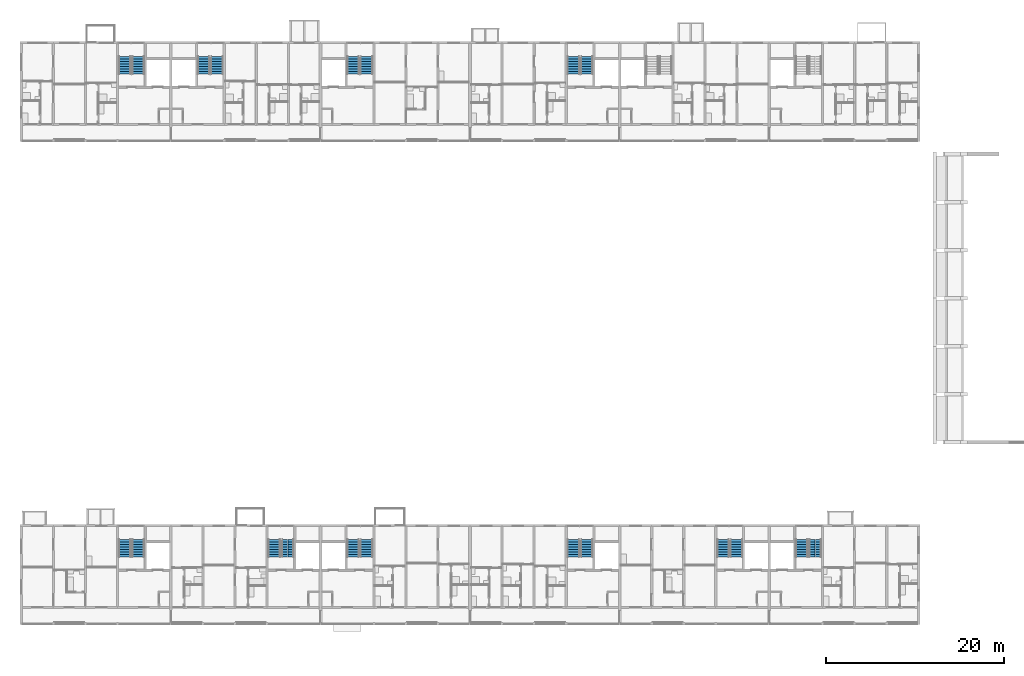
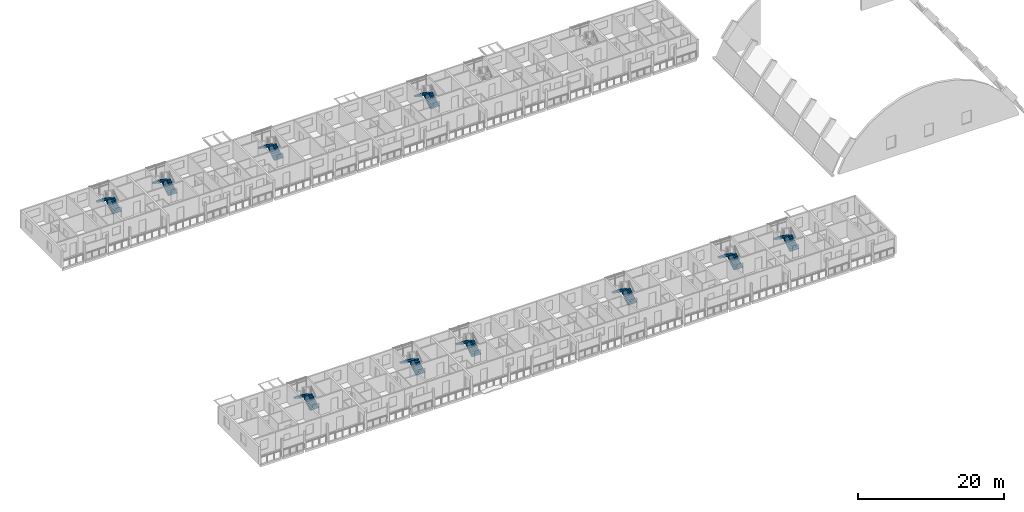
# One storey, part 62 of 100: 20 stair flights, 10 elements without a shape of their own.
"""IFC4 building model written with IfcOpenShell, lengths in metres."""

from ifc_helpers import new_model, si_unit, direction, frame, origin, place, context, subcontext, project, spatial, polyline, outline, extrude, material, type_object, element, aggregate, save


model = new_model("IFC4")

# Units and contexts
model_context = context("Model", 3, precision=1e-05, world=origin(), true_north=direction((0.0, 1.0)))
body_context = subcontext(model_context, "Body", "Model", "MODEL_VIEW")
ifc_project = project(units=[si_unit("LENGTHUNIT", "METRE"), si_unit("AREAUNIT", "SQUARE_METRE"), si_unit("VOLUMEUNIT", "CUBIC_METRE"), si_unit("PLANEANGLEUNIT", "RADIAN"), si_unit("MASSUNIT", "GRAM", prefix="KILO")], contexts=[model_context])

# Site, building, storey
site_placement = place(None, origin())
site = spatial("IfcSite", under=ifc_project, at=site_placement, CompositionType="ELEMENT")
building_placement = place(site_placement, origin())
building = spatial("IfcBuilding", under=site, at=building_placement, Name="Ridgestep Commons", CompositionType="ELEMENT")
storey_placement = place(building_placement, frame((0.0, 0.0, 9.0)))
storey = spatial("IfcBuildingStorey", under=building, at=storey_placement, Name="L03", CompositionType="ELEMENT", Elevation=9.0)

# Stair, stair flights
ifc_material_1 = material(Name="Precast concrete C40/50", Category="concrete")
stair_type = type_object("IfcStairType", Name="Escape stair 1400", PredefinedType="HALF_TURN_STAIR", material=ifc_material_1)
stair_1_placement = place(storey_placement, origin())
stair_1 = element("IfcStair", 1, at=stair_1_placement, inside=storey, type_object=stair_type, Name="L03 Escape stair A1C", PredefinedType="HALF_TURN_STAIR")
ifc_material_2 = material(Name="Precast concrete C40/50", Category="concrete")
stair_flight_type = type_object("IfcStairFlightType", Name="Stair flight 1400", PredefinedType="STRAIGHT", material=ifc_material_2)
stair_flight_1_placement = place(storey_placement, frame((25.125, 19.35009765625, 0.0), z_axis=(0.0, 0.0, 1.0), x_axis=(0.0, 1.0, 0.0)))
stair_flight_1 = element("IfcStairFlight", 2, at=stair_flight_1_placement, type_object=stair_flight_type, Name="A1C flight 1", NumberOfRisers=8, NumberOfTreads=7, PredefinedType="STRAIGHT", RiserHeight=0.1875, TreadLength=0.28, context=body_context, shape_type="SweptSolid", body=[
    extrude(outline(polyline([(0.0, 0.0), (0.0, 0.1875), (0.280029296875, 0.1875), (0.280029296875, 0.375), (0.56005859375, 0.375), (0.56005859375, 0.5625), (0.840087890625, 0.5625), (0.840087890625, 0.75), (1.1201171875, 0.75), (1.1201171875, 0.9375), (1.39990234375, 0.9375), (1.39990234375, 1.125), (1.679931640625, 1.125), (1.679931640625, 1.3125), (1.9599609375, 1.3125), (1.9599609375, 1.5), (1.9599609375, 1.132080078125), (0.26953125, 0.0), (0.0, 0.0)])), frame((0.0, 0.699951171875, 0.0), z_axis=(0.0, -1.0, 0.0), x_axis=(1.0, 0.0, 0.0)), (0.0, 0.0, 1.0), 0.695068359375),
    extrude(outline(polyline([(0.0, 0.0), (0.0, 0.1875), (0.280029296875, 0.1875), (0.280029296875, 0.375), (0.56005859375, 0.375), (0.56005859375, 0.5625), (0.840087890625, 0.5625), (0.840087890625, 0.75), (1.1201171875, 0.75), (1.1201171875, 0.9375), (1.39990234375, 0.9375), (1.39990234375, 1.125), (1.679931640625, 1.125), (1.679931640625, 1.3125), (1.9599609375, 1.3125), (1.9599609375, 1.5), (1.9599609375, 1.132080078125), (0.26953125, 0.0), (0.0, 0.0)])), frame((0.0, -0.0048828125, 0.0), z_axis=(0.0, -1.0, 0.0), x_axis=(1.0, 0.0, 0.0)), (0.0, 0.0, 1.0), 0.695068359375),
])
stair_flight_2_placement = place(storey_placement, frame((23.625, 21.31005859375, 1.5), z_axis=(0.0, 0.0, 1.0), x_axis=(0.0, -1.0, 0.0)))
stair_flight_2 = element("IfcStairFlight", 3, at=stair_flight_2_placement, type_object=stair_flight_type, Name="A1C flight 2", NumberOfRisers=8, NumberOfTreads=7, PredefinedType="STRAIGHT", RiserHeight=0.1875, TreadLength=0.28, context=body_context, shape_type="SweptSolid", body=[
    extrude(outline(polyline([(0.0, 0.0), (0.0, 0.1875), (0.280029296875, 0.1875), (0.280029296875, 0.375), (0.56005859375, 0.375), (0.56005859375, 0.5625), (0.840087890625, 0.5625), (0.840087890625, 0.75), (1.1201171875, 0.75), (1.1201171875, 0.9375), (1.39990234375, 0.9375), (1.39990234375, 1.125), (1.679931640625, 1.125), (1.679931640625, 1.3125), (1.9599609375, 1.3125), (1.9599609375, 1.5), (1.9599609375, 1.132080078125), (0.26953125, 0.0), (0.0, 0.0)])), frame((0.0, 0.699951171875, 0.0), z_axis=(0.0, -1.0, 0.0), x_axis=(1.0, 0.0, 0.0)), (0.0, 0.0, 1.0), 0.695068359375),
    extrude(outline(polyline([(0.0, 0.0), (0.0, 0.1875), (0.280029296875, 0.1875), (0.280029296875, 0.375), (0.56005859375, 0.375), (0.56005859375, 0.5625), (0.840087890625, 0.5625), (0.840087890625, 0.75), (1.1201171875, 0.75), (1.1201171875, 0.9375), (1.39990234375, 0.9375), (1.39990234375, 1.125), (1.679931640625, 1.125), (1.679931640625, 1.3125), (1.9599609375, 1.3125), (1.9599609375, 1.5), (1.9599609375, 1.132080078125), (0.26953125, 0.0), (0.0, 0.0)])), frame((0.0, -0.0048828125, 0.0), z_axis=(0.0, -1.0, 0.0), x_axis=(1.0, 0.0, 0.0)), (0.0, 0.0, 1.0), 0.695068359375),
])
aggregate(stair_1, [stair_flight_1, stair_flight_2])

stair_2_placement = place(storey_placement, origin())
stair_2 = element("IfcStair", 4, at=stair_2_placement, inside=storey, type_object=stair_type, Name="L03 Escape stair A2C", PredefinedType="HALF_TURN_STAIR")
stair_flight_3_placement = place(storey_placement, frame((41.925048828125, 19.35009765625, 0.0), z_axis=(0.0, 0.0, 1.0), x_axis=(0.0, 1.0, 0.0)))
stair_flight_3 = element("IfcStairFlight", 5, at=stair_flight_3_placement, type_object=stair_flight_type, Name="A2C flight 1", NumberOfRisers=8, NumberOfTreads=7, PredefinedType="STRAIGHT", RiserHeight=0.1875, TreadLength=0.28, context=body_context, shape_type="SweptSolid", body=[
    extrude(outline(polyline([(0.0, 0.0), (0.0, 0.1875), (0.280029296875, 0.1875), (0.280029296875, 0.375), (0.56005859375, 0.375), (0.56005859375, 0.5625), (0.840087890625, 0.5625), (0.840087890625, 0.75), (1.1201171875, 0.75), (1.1201171875, 0.9375), (1.39990234375, 0.9375), (1.39990234375, 1.125), (1.679931640625, 1.125), (1.679931640625, 1.3125), (1.9599609375, 1.3125), (1.9599609375, 1.5), (1.9599609375, 1.132080078125), (0.26953125, 0.0), (0.0, 0.0)])), frame((0.0, 0.699951171875, 0.0), z_axis=(0.0, -1.0, 0.0), x_axis=(1.0, 0.0, 0.0)), (0.0, 0.0, 1.0), 0.695068359375),
    extrude(outline(polyline([(0.0, 0.0), (0.0, 0.1875), (0.280029296875, 0.1875), (0.280029296875, 0.375), (0.56005859375, 0.375), (0.56005859375, 0.5625), (0.840087890625, 0.5625), (0.840087890625, 0.75), (1.1201171875, 0.75), (1.1201171875, 0.9375), (1.39990234375, 0.9375), (1.39990234375, 1.125), (1.679931640625, 1.125), (1.679931640625, 1.3125), (1.9599609375, 1.3125), (1.9599609375, 1.5), (1.9599609375, 1.132080078125), (0.26953125, 0.0), (0.0, 0.0)])), frame((0.0, -0.0048828125, 0.0), z_axis=(0.0, -1.0, 0.0), x_axis=(1.0, 0.0, 0.0)), (0.0, 0.0, 1.0), 0.695068359375),
])
stair_flight_4_placement = place(storey_placement, frame((40.425048828125, 21.31005859375, 1.5), z_axis=(0.0, 0.0, 1.0), x_axis=(0.0, -1.0, 0.0)))
stair_flight_4 = element("IfcStairFlight", 6, at=stair_flight_4_placement, type_object=stair_flight_type, Name="A2C flight 2", NumberOfRisers=8, NumberOfTreads=7, PredefinedType="STRAIGHT", RiserHeight=0.1875, TreadLength=0.28, context=body_context, shape_type="SweptSolid", body=[
    extrude(outline(polyline([(0.0, 0.0), (0.0, 0.1875), (0.280029296875, 0.1875), (0.280029296875, 0.375), (0.56005859375, 0.375), (0.56005859375, 0.5625), (0.840087890625, 0.5625), (0.840087890625, 0.75), (1.1201171875, 0.75), (1.1201171875, 0.9375), (1.39990234375, 0.9375), (1.39990234375, 1.125), (1.679931640625, 1.125), (1.679931640625, 1.3125), (1.9599609375, 1.3125), (1.9599609375, 1.5), (1.9599609375, 1.132080078125), (0.26953125, 0.0), (0.0, 0.0)])), frame((0.0, 0.699951171875, 0.0), z_axis=(0.0, -1.0, 0.0), x_axis=(1.0, 0.0, 0.0)), (0.0, 0.0, 1.0), 0.695068359375),
    extrude(outline(polyline([(0.0, 0.0), (0.0, 0.1875), (0.280029296875, 0.1875), (0.280029296875, 0.375), (0.56005859375, 0.375), (0.56005859375, 0.5625), (0.840087890625, 0.5625), (0.840087890625, 0.75), (1.1201171875, 0.75), (1.1201171875, 0.9375), (1.39990234375, 0.9375), (1.39990234375, 1.125), (1.679931640625, 1.125), (1.679931640625, 1.3125), (1.9599609375, 1.3125), (1.9599609375, 1.5), (1.9599609375, 1.132080078125), (0.26953125, 0.0), (0.0, 0.0)])), frame((0.0, -0.0048828125, 0.0), z_axis=(0.0, -1.0, 0.0), x_axis=(1.0, 0.0, 0.0)), (0.0, 0.0, 1.0), 0.695068359375),
])
aggregate(stair_2, [stair_flight_3, stair_flight_4])

stair_3_placement = place(storey_placement, origin())
stair_3 = element("IfcStair", 7, at=stair_3_placement, inside=storey, type_object=stair_type, Name="L03 Escape stair A3C", PredefinedType="HALF_TURN_STAIR")
stair_flight_5_placement = place(storey_placement, frame((50.77490234375, 19.35009765625, 0.0), z_axis=(0.0, 0.0, 1.0), x_axis=(0.0, 1.0, 0.0)))
stair_flight_5 = element("IfcStairFlight", 8, at=stair_flight_5_placement, type_object=stair_flight_type, Name="A3C flight 1", NumberOfRisers=8, NumberOfTreads=7, PredefinedType="STRAIGHT", RiserHeight=0.1875, TreadLength=0.28, context=body_context, shape_type="SweptSolid", body=[
    extrude(outline(polyline([(0.0, 0.0), (0.0, 0.1875), (0.280029296875, 0.1875), (0.280029296875, 0.375), (0.56005859375, 0.375), (0.56005859375, 0.5625), (0.840087890625, 0.5625), (0.840087890625, 0.75), (1.1201171875, 0.75), (1.1201171875, 0.9375), (1.39990234375, 0.9375), (1.39990234375, 1.125), (1.679931640625, 1.125), (1.679931640625, 1.3125), (1.9599609375, 1.3125), (1.9599609375, 1.5), (1.9599609375, 1.132080078125), (0.26953125, 0.0), (0.0, 0.0)])), frame((0.0, 0.699951171875, 0.0), z_axis=(0.0, -1.0, 0.0), x_axis=(1.0, 0.0, 0.0)), (0.0, 0.0, 1.0), 0.695068359375),
    extrude(outline(polyline([(0.0, 0.0), (0.0, 0.1875), (0.280029296875, 0.1875), (0.280029296875, 0.375), (0.56005859375, 0.375), (0.56005859375, 0.5625), (0.840087890625, 0.5625), (0.840087890625, 0.75), (1.1201171875, 0.75), (1.1201171875, 0.9375), (1.39990234375, 0.9375), (1.39990234375, 1.125), (1.679931640625, 1.125), (1.679931640625, 1.3125), (1.9599609375, 1.3125), (1.9599609375, 1.5), (1.9599609375, 1.132080078125), (0.26953125, 0.0), (0.0, 0.0)])), frame((0.0, -0.0048828125, 0.0), z_axis=(0.0, -1.0, 0.0), x_axis=(1.0, 0.0, 0.0)), (0.0, 0.0, 1.0), 0.695068359375),
])
stair_flight_6_placement = place(storey_placement, frame((49.27490234375, 21.31005859375, 1.5), z_axis=(0.0, 0.0, 1.0), x_axis=(0.0, -1.0, 0.0)))
stair_flight_6 = element("IfcStairFlight", 9, at=stair_flight_6_placement, type_object=stair_flight_type, Name="A3C flight 2", NumberOfRisers=8, NumberOfTreads=7, PredefinedType="STRAIGHT", RiserHeight=0.1875, TreadLength=0.28, context=body_context, shape_type="SweptSolid", body=[
    extrude(outline(polyline([(0.0, 0.0), (0.0, 0.1875), (0.280029296875, 0.1875), (0.280029296875, 0.375), (0.56005859375, 0.375), (0.56005859375, 0.5625), (0.840087890625, 0.5625), (0.840087890625, 0.75), (1.1201171875, 0.75), (1.1201171875, 0.9375), (1.39990234375, 0.9375), (1.39990234375, 1.125), (1.679931640625, 1.125), (1.679931640625, 1.3125), (1.9599609375, 1.3125), (1.9599609375, 1.5), (1.9599609375, 1.132080078125), (0.26953125, 0.0), (0.0, 0.0)])), frame((0.0, 0.699951171875, 0.0), z_axis=(0.0, -1.0, 0.0), x_axis=(1.0, 0.0, 0.0)), (0.0, 0.0, 1.0), 0.695068359375),
    extrude(outline(polyline([(0.0, 0.0), (0.0, 0.1875), (0.280029296875, 0.1875), (0.280029296875, 0.375), (0.56005859375, 0.375), (0.56005859375, 0.5625), (0.840087890625, 0.5625), (0.840087890625, 0.75), (1.1201171875, 0.75), (1.1201171875, 0.9375), (1.39990234375, 0.9375), (1.39990234375, 1.125), (1.679931640625, 1.125), (1.679931640625, 1.3125), (1.9599609375, 1.3125), (1.9599609375, 1.5), (1.9599609375, 1.132080078125), (0.26953125, 0.0), (0.0, 0.0)])), frame((0.0, -0.0048828125, 0.0), z_axis=(0.0, -1.0, 0.0), x_axis=(1.0, 0.0, 0.0)), (0.0, 0.0, 1.0), 0.695068359375),
])
aggregate(stair_3, [stair_flight_5, stair_flight_6])

stair_4_placement = place(storey_placement, origin())
stair_4 = element("IfcStair", 10, at=stair_4_placement, inside=storey, type_object=stair_type, Name="L03 Escape stair A4C", PredefinedType="HALF_TURN_STAIR")
stair_flight_7_placement = place(storey_placement, frame((75.52490234375, 19.35009765625, 0.0), z_axis=(0.0, 0.0, 1.0), x_axis=(0.0, 1.0, 0.0)))
stair_flight_7 = element("IfcStairFlight", 11, at=stair_flight_7_placement, type_object=stair_flight_type, Name="A4C flight 1", NumberOfRisers=8, NumberOfTreads=7, PredefinedType="STRAIGHT", RiserHeight=0.1875, TreadLength=0.28, context=body_context, shape_type="SweptSolid", body=[
    extrude(outline(polyline([(0.0, 0.0), (0.0, 0.1875), (0.280029296875, 0.1875), (0.280029296875, 0.375), (0.56005859375, 0.375), (0.56005859375, 0.5625), (0.840087890625, 0.5625), (0.840087890625, 0.75), (1.1201171875, 0.75), (1.1201171875, 0.9375), (1.39990234375, 0.9375), (1.39990234375, 1.125), (1.679931640625, 1.125), (1.679931640625, 1.3125), (1.9599609375, 1.3125), (1.9599609375, 1.5), (1.9599609375, 1.132080078125), (0.26953125, 0.0), (0.0, 0.0)])), frame((0.0, 0.699951171875, 0.0), z_axis=(0.0, -1.0, 0.0), x_axis=(1.0, 0.0, 0.0)), (0.0, 0.0, 1.0), 0.695068359375),
    extrude(outline(polyline([(0.0, 0.0), (0.0, 0.1875), (0.280029296875, 0.1875), (0.280029296875, 0.375), (0.56005859375, 0.375), (0.56005859375, 0.5625), (0.840087890625, 0.5625), (0.840087890625, 0.75), (1.1201171875, 0.75), (1.1201171875, 0.9375), (1.39990234375, 0.9375), (1.39990234375, 1.125), (1.679931640625, 1.125), (1.679931640625, 1.3125), (1.9599609375, 1.3125), (1.9599609375, 1.5), (1.9599609375, 1.132080078125), (0.26953125, 0.0), (0.0, 0.0)])), frame((0.0, -0.0048828125, 0.0), z_axis=(0.0, -1.0, 0.0), x_axis=(1.0, 0.0, 0.0)), (0.0, 0.0, 1.0), 0.695068359375),
])
stair_flight_8_placement = place(storey_placement, frame((74.02490234375, 21.31005859375, 1.5), z_axis=(0.0, 0.0, 1.0), x_axis=(0.0, -1.0, 0.0)))
stair_flight_8 = element("IfcStairFlight", 12, at=stair_flight_8_placement, type_object=stair_flight_type, Name="A4C flight 2", NumberOfRisers=8, NumberOfTreads=7, PredefinedType="STRAIGHT", RiserHeight=0.1875, TreadLength=0.28, context=body_context, shape_type="SweptSolid", body=[
    extrude(outline(polyline([(0.0, 0.0), (0.0, 0.1875), (0.280029296875, 0.1875), (0.280029296875, 0.375), (0.56005859375, 0.375), (0.56005859375, 0.5625), (0.840087890625, 0.5625), (0.840087890625, 0.75), (1.1201171875, 0.75), (1.1201171875, 0.9375), (1.39990234375, 0.9375), (1.39990234375, 1.125), (1.679931640625, 1.125), (1.679931640625, 1.3125), (1.9599609375, 1.3125), (1.9599609375, 1.5), (1.9599609375, 1.132080078125), (0.26953125, 0.0), (0.0, 0.0)])), frame((0.0, 0.699951171875, 0.0), z_axis=(0.0, -1.0, 0.0), x_axis=(1.0, 0.0, 0.0)), (0.0, 0.0, 1.0), 0.695068359375),
    extrude(outline(polyline([(0.0, 0.0), (0.0, 0.1875), (0.280029296875, 0.1875), (0.280029296875, 0.375), (0.56005859375, 0.375), (0.56005859375, 0.5625), (0.840087890625, 0.5625), (0.840087890625, 0.75), (1.1201171875, 0.75), (1.1201171875, 0.9375), (1.39990234375, 0.9375), (1.39990234375, 1.125), (1.679931640625, 1.125), (1.679931640625, 1.3125), (1.9599609375, 1.3125), (1.9599609375, 1.5), (1.9599609375, 1.132080078125), (0.26953125, 0.0), (0.0, 0.0)])), frame((0.0, -0.0048828125, 0.0), z_axis=(0.0, -1.0, 0.0), x_axis=(1.0, 0.0, 0.0)), (0.0, 0.0, 1.0), 0.695068359375),
])
aggregate(stair_4, [stair_flight_7, stair_flight_8])

stair_5_placement = place(storey_placement, origin())
stair_5 = element("IfcStair", 13, at=stair_5_placement, inside=storey, type_object=stair_type, Name="L03 Escape stair A5C", PredefinedType="HALF_TURN_STAIR")
stair_flight_9_placement = place(storey_placement, frame((92.324951171875, 19.35009765625, 0.0), z_axis=(0.0, 0.0, 1.0), x_axis=(0.0, 1.0, 0.0)))
stair_flight_9 = element("IfcStairFlight", 14, at=stair_flight_9_placement, type_object=stair_flight_type, Name="A5C flight 1", NumberOfRisers=8, NumberOfTreads=7, PredefinedType="STRAIGHT", RiserHeight=0.1875, TreadLength=0.28, context=body_context, shape_type="SweptSolid", body=[
    extrude(outline(polyline([(0.0, 0.0), (0.0, 0.1875), (0.280029296875, 0.1875), (0.280029296875, 0.375), (0.56005859375, 0.375), (0.56005859375, 0.5625), (0.840087890625, 0.5625), (0.840087890625, 0.75), (1.1201171875, 0.75), (1.1201171875, 0.9375), (1.39990234375, 0.9375), (1.39990234375, 1.125), (1.679931640625, 1.125), (1.679931640625, 1.3125), (1.9599609375, 1.3125), (1.9599609375, 1.5), (1.9599609375, 1.132080078125), (0.26953125, 0.0), (0.0, 0.0)])), frame((0.0, 0.699951171875, 0.0), z_axis=(0.0, -1.0, 0.0), x_axis=(1.0, 0.0, 0.0)), (0.0, 0.0, 1.0), 0.695068359375),
    extrude(outline(polyline([(0.0, 0.0), (0.0, 0.1875), (0.280029296875, 0.1875), (0.280029296875, 0.375), (0.56005859375, 0.375), (0.56005859375, 0.5625), (0.840087890625, 0.5625), (0.840087890625, 0.75), (1.1201171875, 0.75), (1.1201171875, 0.9375), (1.39990234375, 0.9375), (1.39990234375, 1.125), (1.679931640625, 1.125), (1.679931640625, 1.3125), (1.9599609375, 1.3125), (1.9599609375, 1.5), (1.9599609375, 1.132080078125), (0.26953125, 0.0), (0.0, 0.0)])), frame((0.0, -0.0048828125, 0.0), z_axis=(0.0, -1.0, 0.0), x_axis=(1.0, 0.0, 0.0)), (0.0, 0.0, 1.0), 0.695068359375),
])
stair_flight_10_placement = place(storey_placement, frame((90.824951171875, 21.31005859375, 1.5), z_axis=(0.0, 0.0, 1.0), x_axis=(0.0, -1.0, 0.0)))
stair_flight_10 = element("IfcStairFlight", 15, at=stair_flight_10_placement, type_object=stair_flight_type, Name="A5C flight 2", NumberOfRisers=8, NumberOfTreads=7, PredefinedType="STRAIGHT", RiserHeight=0.1875, TreadLength=0.28, context=body_context, shape_type="SweptSolid", body=[
    extrude(outline(polyline([(0.0, 0.0), (0.0, 0.1875), (0.280029296875, 0.1875), (0.280029296875, 0.375), (0.56005859375, 0.375), (0.56005859375, 0.5625), (0.840087890625, 0.5625), (0.840087890625, 0.75), (1.1201171875, 0.75), (1.1201171875, 0.9375), (1.39990234375, 0.9375), (1.39990234375, 1.125), (1.679931640625, 1.125), (1.679931640625, 1.3125), (1.9599609375, 1.3125), (1.9599609375, 1.5), (1.9599609375, 1.132080078125), (0.26953125, 0.0), (0.0, 0.0)])), frame((0.0, 0.699951171875, 0.0), z_axis=(0.0, -1.0, 0.0), x_axis=(1.0, 0.0, 0.0)), (0.0, 0.0, 1.0), 0.695068359375),
    extrude(outline(polyline([(0.0, 0.0), (0.0, 0.1875), (0.280029296875, 0.1875), (0.280029296875, 0.375), (0.56005859375, 0.375), (0.56005859375, 0.5625), (0.840087890625, 0.5625), (0.840087890625, 0.75), (1.1201171875, 0.75), (1.1201171875, 0.9375), (1.39990234375, 0.9375), (1.39990234375, 1.125), (1.679931640625, 1.125), (1.679931640625, 1.3125), (1.9599609375, 1.3125), (1.9599609375, 1.5), (1.9599609375, 1.132080078125), (0.26953125, 0.0), (0.0, 0.0)])), frame((0.0, -0.0048828125, 0.0), z_axis=(0.0, -1.0, 0.0), x_axis=(1.0, 0.0, 0.0)), (0.0, 0.0, 1.0), 0.695068359375),
])
aggregate(stair_5, [stair_flight_9, stair_flight_10])

stair_6_placement = place(storey_placement, origin())
stair_6 = element("IfcStair", 16, at=stair_6_placement, inside=storey, type_object=stair_type, Name="L03 Escape stair A6C", PredefinedType="HALF_TURN_STAIR")
stair_flight_11_placement = place(storey_placement, frame((101.175048828125, 19.35009765625, 0.0), z_axis=(0.0, 0.0, 1.0), x_axis=(0.0, 1.0, 0.0)))
stair_flight_11 = element("IfcStairFlight", 17, at=stair_flight_11_placement, type_object=stair_flight_type, Name="A6C flight 1", NumberOfRisers=8, NumberOfTreads=7, PredefinedType="STRAIGHT", RiserHeight=0.1875, TreadLength=0.28, context=body_context, shape_type="SweptSolid", body=[
    extrude(outline(polyline([(0.0, 0.0), (0.0, 0.1875), (0.280029296875, 0.1875), (0.280029296875, 0.375), (0.56005859375, 0.375), (0.56005859375, 0.5625), (0.840087890625, 0.5625), (0.840087890625, 0.75), (1.1201171875, 0.75), (1.1201171875, 0.9375), (1.39990234375, 0.9375), (1.39990234375, 1.125), (1.679931640625, 1.125), (1.679931640625, 1.3125), (1.9599609375, 1.3125), (1.9599609375, 1.5), (1.9599609375, 1.132080078125), (0.26953125, 0.0), (0.0, 0.0)])), frame((0.0, 0.699951171875, 0.0), z_axis=(0.0, -1.0, 0.0), x_axis=(1.0, 0.0, 0.0)), (0.0, 0.0, 1.0), 0.695068359375),
    extrude(outline(polyline([(0.0, 0.0), (0.0, 0.1875), (0.280029296875, 0.1875), (0.280029296875, 0.375), (0.56005859375, 0.375), (0.56005859375, 0.5625), (0.840087890625, 0.5625), (0.840087890625, 0.75), (1.1201171875, 0.75), (1.1201171875, 0.9375), (1.39990234375, 0.9375), (1.39990234375, 1.125), (1.679931640625, 1.125), (1.679931640625, 1.3125), (1.9599609375, 1.3125), (1.9599609375, 1.5), (1.9599609375, 1.132080078125), (0.26953125, 0.0), (0.0, 0.0)])), frame((0.0, -0.0048828125, 0.0), z_axis=(0.0, -1.0, 0.0), x_axis=(1.0, 0.0, 0.0)), (0.0, 0.0, 1.0), 0.695068359375),
])
stair_flight_12_placement = place(storey_placement, frame((99.675048828125, 21.31005859375, 1.5), z_axis=(0.0, 0.0, 1.0), x_axis=(0.0, -1.0, 0.0)))
stair_flight_12 = element("IfcStairFlight", 18, at=stair_flight_12_placement, type_object=stair_flight_type, Name="A6C flight 2", NumberOfRisers=8, NumberOfTreads=7, PredefinedType="STRAIGHT", RiserHeight=0.1875, TreadLength=0.28, context=body_context, shape_type="SweptSolid", body=[
    extrude(outline(polyline([(0.0, 0.0), (0.0, 0.1875), (0.280029296875, 0.1875), (0.280029296875, 0.375), (0.56005859375, 0.375), (0.56005859375, 0.5625), (0.840087890625, 0.5625), (0.840087890625, 0.75), (1.1201171875, 0.75), (1.1201171875, 0.9375), (1.39990234375, 0.9375), (1.39990234375, 1.125), (1.679931640625, 1.125), (1.679931640625, 1.3125), (1.9599609375, 1.3125), (1.9599609375, 1.5), (1.9599609375, 1.132080078125), (0.26953125, 0.0), (0.0, 0.0)])), frame((0.0, 0.699951171875, 0.0), z_axis=(0.0, -1.0, 0.0), x_axis=(1.0, 0.0, 0.0)), (0.0, 0.0, 1.0), 0.695068359375),
    extrude(outline(polyline([(0.0, 0.0), (0.0, 0.1875), (0.280029296875, 0.1875), (0.280029296875, 0.375), (0.56005859375, 0.375), (0.56005859375, 0.5625), (0.840087890625, 0.5625), (0.840087890625, 0.75), (1.1201171875, 0.75), (1.1201171875, 0.9375), (1.39990234375, 0.9375), (1.39990234375, 1.125), (1.679931640625, 1.125), (1.679931640625, 1.3125), (1.9599609375, 1.3125), (1.9599609375, 1.5), (1.9599609375, 1.132080078125), (0.26953125, 0.0), (0.0, 0.0)])), frame((0.0, -0.0048828125, 0.0), z_axis=(0.0, -1.0, 0.0), x_axis=(1.0, 0.0, 0.0)), (0.0, 0.0, 1.0), 0.695068359375),
])
aggregate(stair_6, [stair_flight_11, stair_flight_12])

stair_7_placement = place(storey_placement, origin())
stair_7 = element("IfcStair", 19, at=stair_7_placement, inside=storey, type_object=stair_type, Name="L03 Escape stair B1C", PredefinedType="HALF_TURN_STAIR")
stair_flight_13_placement = place(storey_placement, frame((25.125, 73.60009765625, 0.0), z_axis=(0.0, 0.0, 1.0), x_axis=(0.0, 1.0, 0.0)))
stair_flight_13 = element("IfcStairFlight", 20, at=stair_flight_13_placement, type_object=stair_flight_type, Name="B1C flight 1", NumberOfRisers=8, NumberOfTreads=7, PredefinedType="STRAIGHT", RiserHeight=0.1875, TreadLength=0.28, context=body_context, shape_type="SweptSolid", body=[
    extrude(outline(polyline([(0.0, 0.0), (0.0, 0.1875), (0.280029296875, 0.1875), (0.280029296875, 0.375), (0.56005859375, 0.375), (0.56005859375, 0.5625), (0.840087890625, 0.5625), (0.840087890625, 0.75), (1.1201171875, 0.75), (1.1201171875, 0.9375), (1.39990234375, 0.9375), (1.39990234375, 1.125), (1.679931640625, 1.125), (1.679931640625, 1.3125), (1.9599609375, 1.3125), (1.9599609375, 1.5), (1.9599609375, 1.132080078125), (0.26953125, 0.0), (0.0, 0.0)])), frame((0.0, 0.699951171875, 0.0), z_axis=(0.0, -1.0, 0.0), x_axis=(1.0, 0.0, 0.0)), (0.0, 0.0, 1.0), 0.695068359375),
    extrude(outline(polyline([(0.0, 0.0), (0.0, 0.1875), (0.280029296875, 0.1875), (0.280029296875, 0.375), (0.56005859375, 0.375), (0.56005859375, 0.5625), (0.840087890625, 0.5625), (0.840087890625, 0.75), (1.1201171875, 0.75), (1.1201171875, 0.9375), (1.39990234375, 0.9375), (1.39990234375, 1.125), (1.679931640625, 1.125), (1.679931640625, 1.3125), (1.9599609375, 1.3125), (1.9599609375, 1.5), (1.9599609375, 1.132080078125), (0.26953125, 0.0), (0.0, 0.0)])), frame((0.0, -0.0048828125, 0.0), z_axis=(0.0, -1.0, 0.0), x_axis=(1.0, 0.0, 0.0)), (0.0, 0.0, 1.0), 0.695068359375),
])
stair_flight_14_placement = place(storey_placement, frame((23.625, 75.56005859375, 1.5), z_axis=(0.0, 0.0, 1.0), x_axis=(0.0, -1.0, 0.0)))
stair_flight_14 = element("IfcStairFlight", 21, at=stair_flight_14_placement, type_object=stair_flight_type, Name="B1C flight 2", NumberOfRisers=8, NumberOfTreads=7, PredefinedType="STRAIGHT", RiserHeight=0.1875, TreadLength=0.28, context=body_context, shape_type="SweptSolid", body=[
    extrude(outline(polyline([(0.0, 0.0), (0.0, 0.1875), (0.280029296875, 0.1875), (0.280029296875, 0.375), (0.56005859375, 0.375), (0.56005859375, 0.5625), (0.840087890625, 0.5625), (0.840087890625, 0.75), (1.1201171875, 0.75), (1.1201171875, 0.9375), (1.39990234375, 0.9375), (1.39990234375, 1.125), (1.679931640625, 1.125), (1.679931640625, 1.3125), (1.9599609375, 1.3125), (1.9599609375, 1.5), (1.9599609375, 1.132080078125), (0.26953125, 0.0), (0.0, 0.0)])), frame((0.0, 0.699951171875, 0.0), z_axis=(0.0, -1.0, 0.0), x_axis=(1.0, 0.0, 0.0)), (0.0, 0.0, 1.0), 0.695068359375),
    extrude(outline(polyline([(0.0, 0.0), (0.0, 0.1875), (0.280029296875, 0.1875), (0.280029296875, 0.375), (0.56005859375, 0.375), (0.56005859375, 0.5625), (0.840087890625, 0.5625), (0.840087890625, 0.75), (1.1201171875, 0.75), (1.1201171875, 0.9375), (1.39990234375, 0.9375), (1.39990234375, 1.125), (1.679931640625, 1.125), (1.679931640625, 1.3125), (1.9599609375, 1.3125), (1.9599609375, 1.5), (1.9599609375, 1.132080078125), (0.26953125, 0.0), (0.0, 0.0)])), frame((0.0, -0.0048828125, 0.0), z_axis=(0.0, -1.0, 0.0), x_axis=(1.0, 0.0, 0.0)), (0.0, 0.0, 1.0), 0.695068359375),
])
aggregate(stair_7, [stair_flight_13, stair_flight_14])

stair_8_placement = place(storey_placement, origin())
stair_8 = element("IfcStair", 22, at=stair_8_placement, inside=storey, type_object=stair_type, Name="L03 Escape stair B2C", PredefinedType="HALF_TURN_STAIR")
stair_flight_15_placement = place(storey_placement, frame((33.97509765625, 73.60009765625, 0.0), z_axis=(0.0, 0.0, 1.0), x_axis=(0.0, 1.0, 0.0)))
stair_flight_15 = element("IfcStairFlight", 23, at=stair_flight_15_placement, type_object=stair_flight_type, Name="B2C flight 1", NumberOfRisers=8, NumberOfTreads=7, PredefinedType="STRAIGHT", RiserHeight=0.1875, TreadLength=0.28, context=body_context, shape_type="SweptSolid", body=[
    extrude(outline(polyline([(0.0, 0.0), (0.0, 0.1875), (0.280029296875, 0.1875), (0.280029296875, 0.375), (0.56005859375, 0.375), (0.56005859375, 0.5625), (0.840087890625, 0.5625), (0.840087890625, 0.75), (1.1201171875, 0.75), (1.1201171875, 0.9375), (1.39990234375, 0.9375), (1.39990234375, 1.125), (1.679931640625, 1.125), (1.679931640625, 1.3125), (1.9599609375, 1.3125), (1.9599609375, 1.5), (1.9599609375, 1.132080078125), (0.26953125, 0.0), (0.0, 0.0)])), frame((0.0, 0.699951171875, 0.0), z_axis=(0.0, -1.0, 0.0), x_axis=(1.0, 0.0, 0.0)), (0.0, 0.0, 1.0), 0.695068359375),
    extrude(outline(polyline([(0.0, 0.0), (0.0, 0.1875), (0.280029296875, 0.1875), (0.280029296875, 0.375), (0.56005859375, 0.375), (0.56005859375, 0.5625), (0.840087890625, 0.5625), (0.840087890625, 0.75), (1.1201171875, 0.75), (1.1201171875, 0.9375), (1.39990234375, 0.9375), (1.39990234375, 1.125), (1.679931640625, 1.125), (1.679931640625, 1.3125), (1.9599609375, 1.3125), (1.9599609375, 1.5), (1.9599609375, 1.132080078125), (0.26953125, 0.0), (0.0, 0.0)])), frame((0.0, -0.0048828125, 0.0), z_axis=(0.0, -1.0, 0.0), x_axis=(1.0, 0.0, 0.0)), (0.0, 0.0, 1.0), 0.695068359375),
])
stair_flight_16_placement = place(storey_placement, frame((32.47509765625, 75.56005859375, 1.5), z_axis=(0.0, 0.0, 1.0), x_axis=(0.0, -1.0, 0.0)))
stair_flight_16 = element("IfcStairFlight", 24, at=stair_flight_16_placement, type_object=stair_flight_type, Name="B2C flight 2", NumberOfRisers=8, NumberOfTreads=7, PredefinedType="STRAIGHT", RiserHeight=0.1875, TreadLength=0.28, context=body_context, shape_type="SweptSolid", body=[
    extrude(outline(polyline([(0.0, 0.0), (0.0, 0.1875), (0.280029296875, 0.1875), (0.280029296875, 0.375), (0.56005859375, 0.375), (0.56005859375, 0.5625), (0.840087890625, 0.5625), (0.840087890625, 0.75), (1.1201171875, 0.75), (1.1201171875, 0.9375), (1.39990234375, 0.9375), (1.39990234375, 1.125), (1.679931640625, 1.125), (1.679931640625, 1.3125), (1.9599609375, 1.3125), (1.9599609375, 1.5), (1.9599609375, 1.132080078125), (0.26953125, 0.0), (0.0, 0.0)])), frame((0.0, 0.699951171875, 0.0), z_axis=(0.0, -1.0, 0.0), x_axis=(1.0, 0.0, 0.0)), (0.0, 0.0, 1.0), 0.695068359375),
    extrude(outline(polyline([(0.0, 0.0), (0.0, 0.1875), (0.280029296875, 0.1875), (0.280029296875, 0.375), (0.56005859375, 0.375), (0.56005859375, 0.5625), (0.840087890625, 0.5625), (0.840087890625, 0.75), (1.1201171875, 0.75), (1.1201171875, 0.9375), (1.39990234375, 0.9375), (1.39990234375, 1.125), (1.679931640625, 1.125), (1.679931640625, 1.3125), (1.9599609375, 1.3125), (1.9599609375, 1.5), (1.9599609375, 1.132080078125), (0.26953125, 0.0), (0.0, 0.0)])), frame((0.0, -0.0048828125, 0.0), z_axis=(0.0, -1.0, 0.0), x_axis=(1.0, 0.0, 0.0)), (0.0, 0.0, 1.0), 0.695068359375),
])
aggregate(stair_8, [stair_flight_15, stair_flight_16])

stair_9_placement = place(storey_placement, origin())
stair_9 = element("IfcStair", 25, at=stair_9_placement, inside=storey, type_object=stair_type, Name="L03 Escape stair B3C", PredefinedType="HALF_TURN_STAIR")
stair_flight_17_placement = place(storey_placement, frame((50.77490234375, 73.60009765625, 0.0), z_axis=(0.0, 0.0, 1.0), x_axis=(0.0, 1.0, 0.0)))
stair_flight_17 = element("IfcStairFlight", 26, at=stair_flight_17_placement, type_object=stair_flight_type, Name="B3C flight 1", NumberOfRisers=8, NumberOfTreads=7, PredefinedType="STRAIGHT", RiserHeight=0.1875, TreadLength=0.28, context=body_context, shape_type="SweptSolid", body=[
    extrude(outline(polyline([(0.0, 0.0), (0.0, 0.1875), (0.280029296875, 0.1875), (0.280029296875, 0.375), (0.56005859375, 0.375), (0.56005859375, 0.5625), (0.840087890625, 0.5625), (0.840087890625, 0.75), (1.1201171875, 0.75), (1.1201171875, 0.9375), (1.39990234375, 0.9375), (1.39990234375, 1.125), (1.679931640625, 1.125), (1.679931640625, 1.3125), (1.9599609375, 1.3125), (1.9599609375, 1.5), (1.9599609375, 1.132080078125), (0.26953125, 0.0), (0.0, 0.0)])), frame((0.0, 0.699951171875, 0.0), z_axis=(0.0, -1.0, 0.0), x_axis=(1.0, 0.0, 0.0)), (0.0, 0.0, 1.0), 0.695068359375),
    extrude(outline(polyline([(0.0, 0.0), (0.0, 0.1875), (0.280029296875, 0.1875), (0.280029296875, 0.375), (0.56005859375, 0.375), (0.56005859375, 0.5625), (0.840087890625, 0.5625), (0.840087890625, 0.75), (1.1201171875, 0.75), (1.1201171875, 0.9375), (1.39990234375, 0.9375), (1.39990234375, 1.125), (1.679931640625, 1.125), (1.679931640625, 1.3125), (1.9599609375, 1.3125), (1.9599609375, 1.5), (1.9599609375, 1.132080078125), (0.26953125, 0.0), (0.0, 0.0)])), frame((0.0, -0.0048828125, 0.0), z_axis=(0.0, -1.0, 0.0), x_axis=(1.0, 0.0, 0.0)), (0.0, 0.0, 1.0), 0.695068359375),
])
stair_flight_18_placement = place(storey_placement, frame((49.27490234375, 75.56005859375, 1.5), z_axis=(0.0, 0.0, 1.0), x_axis=(0.0, -1.0, 0.0)))
stair_flight_18 = element("IfcStairFlight", 27, at=stair_flight_18_placement, type_object=stair_flight_type, Name="B3C flight 2", NumberOfRisers=8, NumberOfTreads=7, PredefinedType="STRAIGHT", RiserHeight=0.1875, TreadLength=0.28, context=body_context, shape_type="SweptSolid", body=[
    extrude(outline(polyline([(0.0, 0.0), (0.0, 0.1875), (0.280029296875, 0.1875), (0.280029296875, 0.375), (0.56005859375, 0.375), (0.56005859375, 0.5625), (0.840087890625, 0.5625), (0.840087890625, 0.75), (1.1201171875, 0.75), (1.1201171875, 0.9375), (1.39990234375, 0.9375), (1.39990234375, 1.125), (1.679931640625, 1.125), (1.679931640625, 1.3125), (1.9599609375, 1.3125), (1.9599609375, 1.5), (1.9599609375, 1.132080078125), (0.26953125, 0.0), (0.0, 0.0)])), frame((0.0, 0.699951171875, 0.0), z_axis=(0.0, -1.0, 0.0), x_axis=(1.0, 0.0, 0.0)), (0.0, 0.0, 1.0), 0.695068359375),
    extrude(outline(polyline([(0.0, 0.0), (0.0, 0.1875), (0.280029296875, 0.1875), (0.280029296875, 0.375), (0.56005859375, 0.375), (0.56005859375, 0.5625), (0.840087890625, 0.5625), (0.840087890625, 0.75), (1.1201171875, 0.75), (1.1201171875, 0.9375), (1.39990234375, 0.9375), (1.39990234375, 1.125), (1.679931640625, 1.125), (1.679931640625, 1.3125), (1.9599609375, 1.3125), (1.9599609375, 1.5), (1.9599609375, 1.132080078125), (0.26953125, 0.0), (0.0, 0.0)])), frame((0.0, -0.0048828125, 0.0), z_axis=(0.0, -1.0, 0.0), x_axis=(1.0, 0.0, 0.0)), (0.0, 0.0, 1.0), 0.695068359375),
])
aggregate(stair_9, [stair_flight_17, stair_flight_18])

stair_10_placement = place(storey_placement, origin())
stair_10 = element("IfcStair", 28, at=stair_10_placement, inside=storey, type_object=stair_type, Name="L03 Escape stair B4C", PredefinedType="HALF_TURN_STAIR")
stair_flight_19_placement = place(storey_placement, frame((75.52490234375, 73.60009765625, 0.0), z_axis=(0.0, 0.0, 1.0), x_axis=(0.0, 1.0, 0.0)))
stair_flight_19 = element("IfcStairFlight", 29, at=stair_flight_19_placement, type_object=stair_flight_type, Name="B4C flight 1", NumberOfRisers=8, NumberOfTreads=7, PredefinedType="STRAIGHT", RiserHeight=0.1875, TreadLength=0.28, context=body_context, shape_type="SweptSolid", body=[
    extrude(outline(polyline([(0.0, 0.0), (0.0, 0.1875), (0.280029296875, 0.1875), (0.280029296875, 0.375), (0.56005859375, 0.375), (0.56005859375, 0.5625), (0.840087890625, 0.5625), (0.840087890625, 0.75), (1.1201171875, 0.75), (1.1201171875, 0.9375), (1.39990234375, 0.9375), (1.39990234375, 1.125), (1.679931640625, 1.125), (1.679931640625, 1.3125), (1.9599609375, 1.3125), (1.9599609375, 1.5), (1.9599609375, 1.132080078125), (0.26953125, 0.0), (0.0, 0.0)])), frame((0.0, 0.699951171875, 0.0), z_axis=(0.0, -1.0, 0.0), x_axis=(1.0, 0.0, 0.0)), (0.0, 0.0, 1.0), 0.695068359375),
    extrude(outline(polyline([(0.0, 0.0), (0.0, 0.1875), (0.280029296875, 0.1875), (0.280029296875, 0.375), (0.56005859375, 0.375), (0.56005859375, 0.5625), (0.840087890625, 0.5625), (0.840087890625, 0.75), (1.1201171875, 0.75), (1.1201171875, 0.9375), (1.39990234375, 0.9375), (1.39990234375, 1.125), (1.679931640625, 1.125), (1.679931640625, 1.3125), (1.9599609375, 1.3125), (1.9599609375, 1.5), (1.9599609375, 1.132080078125), (0.26953125, 0.0), (0.0, 0.0)])), frame((0.0, -0.0048828125, 0.0), z_axis=(0.0, -1.0, 0.0), x_axis=(1.0, 0.0, 0.0)), (0.0, 0.0, 1.0), 0.695068359375),
])
stair_flight_20_placement = place(storey_placement, frame((74.02490234375, 75.56005859375, 1.5), z_axis=(0.0, 0.0, 1.0), x_axis=(0.0, -1.0, 0.0)))
stair_flight_20 = element("IfcStairFlight", 30, at=stair_flight_20_placement, type_object=stair_flight_type, Name="B4C flight 2", NumberOfRisers=8, NumberOfTreads=7, PredefinedType="STRAIGHT", RiserHeight=0.1875, TreadLength=0.28, context=body_context, shape_type="SweptSolid", body=[
    extrude(outline(polyline([(0.0, 0.0), (0.0, 0.1875), (0.280029296875, 0.1875), (0.280029296875, 0.375), (0.56005859375, 0.375), (0.56005859375, 0.5625), (0.840087890625, 0.5625), (0.840087890625, 0.75), (1.1201171875, 0.75), (1.1201171875, 0.9375), (1.39990234375, 0.9375), (1.39990234375, 1.125), (1.679931640625, 1.125), (1.679931640625, 1.3125), (1.9599609375, 1.3125), (1.9599609375, 1.5), (1.9599609375, 1.132080078125), (0.26953125, 0.0), (0.0, 0.0)])), frame((0.0, 0.699951171875, 0.0), z_axis=(0.0, -1.0, 0.0), x_axis=(1.0, 0.0, 0.0)), (0.0, 0.0, 1.0), 0.695068359375),
    extrude(outline(polyline([(0.0, 0.0), (0.0, 0.1875), (0.280029296875, 0.1875), (0.280029296875, 0.375), (0.56005859375, 0.375), (0.56005859375, 0.5625), (0.840087890625, 0.5625), (0.840087890625, 0.75), (1.1201171875, 0.75), (1.1201171875, 0.9375), (1.39990234375, 0.9375), (1.39990234375, 1.125), (1.679931640625, 1.125), (1.679931640625, 1.3125), (1.9599609375, 1.3125), (1.9599609375, 1.5), (1.9599609375, 1.132080078125), (0.26953125, 0.0), (0.0, 0.0)])), frame((0.0, -0.0048828125, 0.0), z_axis=(0.0, -1.0, 0.0), x_axis=(1.0, 0.0, 0.0)), (0.0, 0.0, 1.0), 0.695068359375),
])
aggregate(stair_10, [stair_flight_19, stair_flight_20])

save(model, "model.ifc")
